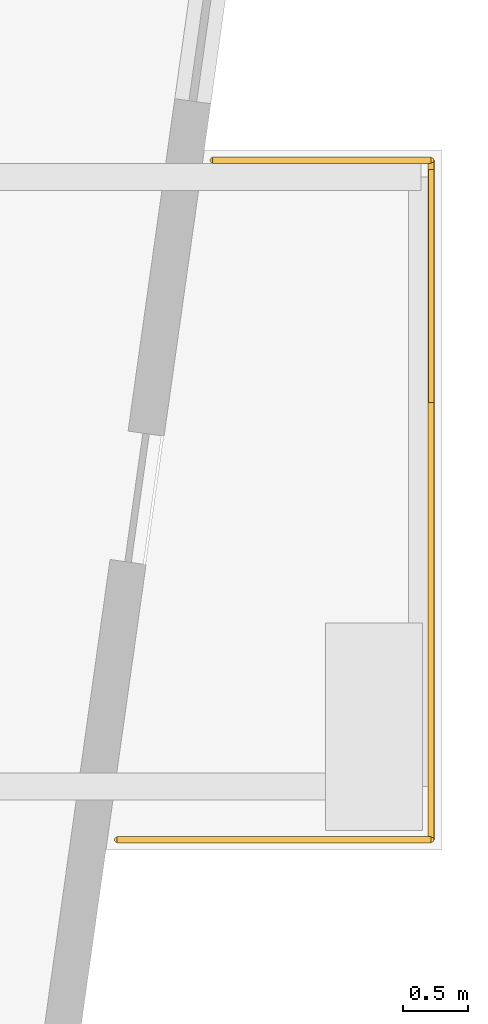
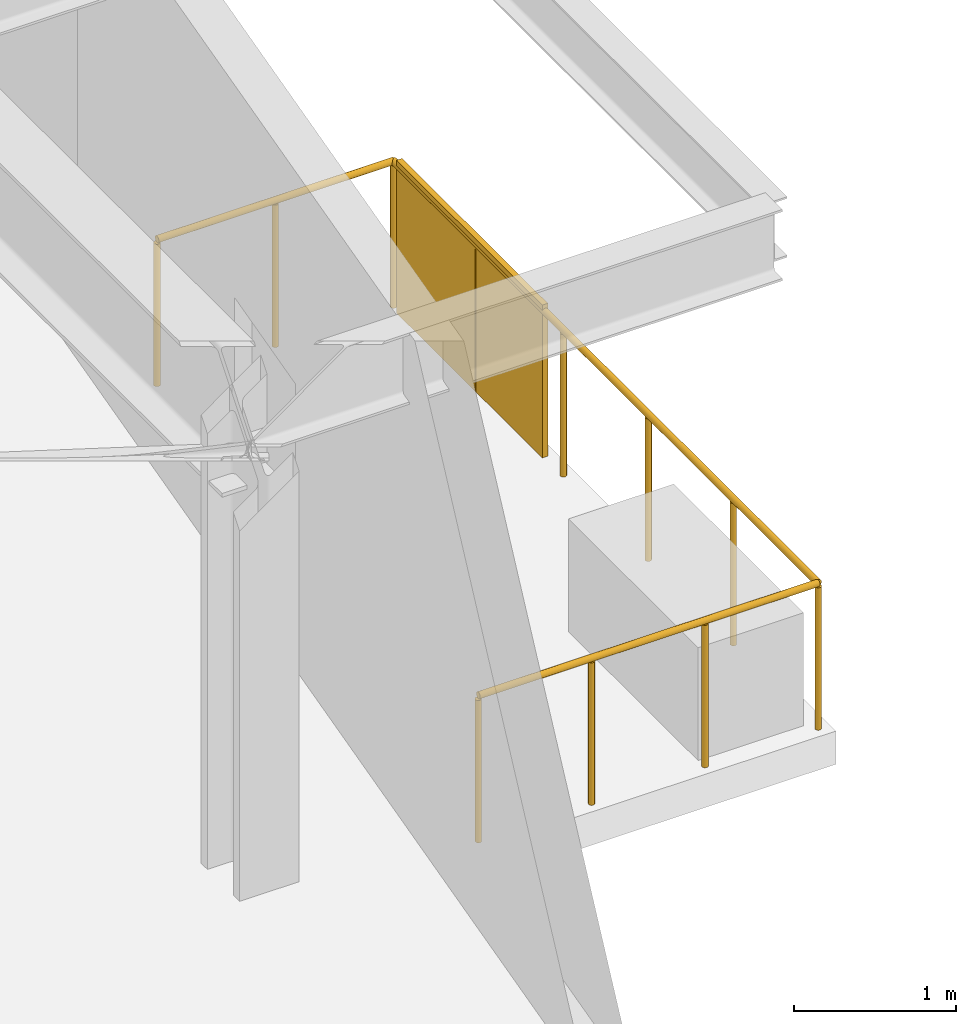
# One storey, part 24 of 26: 3 railings, 1 shading device.
"""IFC4 building model written with IfcOpenShell, lengths in metres."""

import ifcopenshell
import ifcopenshell.guid

model = None  # the IFC model being written
_history = None  # IfcOwnerHistory: only IFC2X3 demands one
_inside = {}  # id of a spatial element -> (the spatial element, [elements in it])
_under = {}  # id of a project, library or spatial element -> (it, [spatial elements below it])
_declared = {}  # id of a project -> (the project, [libraries it declares])
_typed = {}  # id of a type object -> (the type object, [elements of that type])
_made_of = {}  # id of a material, layer set ... -> (it, [elements and type objects made of it])


def new_model(schema):
    """Start an empty IFC model of exactly this schema.

    Asked for "IFC4X3", IfcOpenShell would pick the latest addendum, in which some entities
    have other attributes; the version numbers below select the first issue.
    IFC2X3 requires an IfcOwnerHistory on every rooted entity: one is made here for all.
    """
    global model, _history
    if schema == "IFC4X3":
        model = ifcopenshell.file(schema_version=(4, 3, 0, 0))
    else:
        model = ifcopenshell.file(schema=schema)
    _inside.clear()
    _under.clear()
    _declared.clear()
    _typed.clear()
    _made_of.clear()
    _history = None
    if model.schema == "IFC2X3":
        org = make("IfcOrganization", Name="unknown")
        user = make(
            "IfcPersonAndOrganization",
            ThePerson=make("IfcPerson", FamilyName="unknown"),
            TheOrganization=org,
        )
        app = make(
            "IfcApplication",
            ApplicationDeveloper=org,
            Version="unknown",
            ApplicationFullName="unknown",
            ApplicationIdentifier="unknown",
        )
        _history = make(
            "IfcOwnerHistory",
            OwningUser=user,
            OwningApplication=app,
            ChangeAction="ADDED",
            CreationDate=0,
        )
    return model


def make(cls, **values):
    """One entity of the class cls with the attributes given. An attribute that is None is left unset."""
    return model.create_entity(
        cls, **{name: value for name, value in values.items() if value is not None}
    )


def rooted(cls, **values):
    """An entity with a GlobalId (a new one), such as an element, a storey or a relation."""
    return make(cls, GlobalId=ifcopenshell.guid.new(), OwnerHistory=_history, **values)


def si_unit(unit_type, name, prefix=None):
    """IfcSIUnit, for example si_unit("LENGTHUNIT", "METRE", prefix="MILLI")."""
    return make("IfcSIUnit", UnitType=unit_type, Prefix=prefix, Name=name)


def assignment(units):
    """IfcUnitAssignment: the units of a project."""
    return None if units is None else make("IfcUnitAssignment", Units=units)


def point(xyz):
    """IfcCartesianPoint."""
    return None if xyz is None else make("IfcCartesianPoint", Coordinates=xyz)


def direction(xyz):
    """IfcDirection."""
    return None if xyz is None else make("IfcDirection", DirectionRatios=xyz)


def frame(location, z_axis=None, x_axis=None):
    """IfcAxis2Placement3D, a coordinate frame: its origin and axes. An axis left out is left unset."""
    return make(
        "IfcAxis2Placement3D",
        Location=point(location),
        Axis=direction(z_axis),
        RefDirection=direction(x_axis),
    )


def frame_2d(location, x_axis=None):
    """IfcAxis2Placement2D, a coordinate frame in the plane: its origin and x axis."""
    return make(
        "IfcAxis2Placement2D", Location=point(location), RefDirection=direction(x_axis)
    )


def origin():
    """The frame at (0, 0, 0) with its axes left unset."""
    return frame((0.0, 0.0, 0.0))


def origin_2d():
    """The frame at (0, 0) in the plane with its x axis left unset."""
    return frame_2d((0.0, 0.0))


def place(relative_to, where):
    """IfcLocalPlacement: puts the frame where relative to a parent placement (None: the world)."""
    return make(
        "IfcLocalPlacement", PlacementRelTo=relative_to, RelativePlacement=where
    )


def context(
    kind, dimensions, precision=None, world=None, true_north=None, identifier=None
):
    """IfcGeometricRepresentationContext, for example the 3D "Model" context."""
    return make(
        "IfcGeometricRepresentationContext",
        ContextIdentifier=identifier,
        ContextType=kind,
        CoordinateSpaceDimension=dimensions,
        Precision=precision,
        WorldCoordinateSystem=world,
        TrueNorth=true_north,
    )


def subcontext(parent, identifier, kind, view, scale=None):
    """IfcGeometricRepresentationSubContext, for example "Body" below "Model"."""
    return make(
        "IfcGeometricRepresentationSubContext",
        ContextIdentifier=identifier,
        ContextType=kind,
        ParentContext=parent,
        TargetScale=scale,
        TargetView=view,
    )


def project(units=None, contexts=None):
    """IfcProject with its units and contexts."""
    return rooted(
        "IfcProject",
        Name="project",
        RepresentationContexts=contexts,
        UnitsInContext=assignment(units),
    )


def spatial(cls, under=None, at=None, **own):
    """A site, building, storey or space (cls), placed at a placement, below another one or the project."""
    s = rooted(cls, ObjectPlacement=at, **own)
    if under is not None:
        _under.setdefault(under.id(), (under, []))[1].append(s)
    return s


def profile(cls, at=None, kind="AREA", **sizes):
    """A parametric profile (cls). Its sizes go by their IFC names, for example OverallWidth=200.0."""
    return make(cls, ProfileType=kind, Position=at, **sizes)


def rectangle(**sizes):
    """IfcRectangleProfileDef."""
    return profile("IfcRectangleProfileDef", **sizes)


def circle(**sizes):
    """IfcCircleProfileDef."""
    return profile("IfcCircleProfileDef", **sizes)


def extrude(swept, where, along, depth):
    """IfcExtrudedAreaSolid: the profile swept, set in the frame where, extruded along a direction by depth."""
    return make(
        "IfcExtrudedAreaSolid",
        SweptArea=swept,
        Position=where,
        ExtrudedDirection=direction(along),
        Depth=depth,
    )


def shape(context_of_items, identifier, shape_type, items):
    """IfcShapeRepresentation: the items that make up one representation, for example the "Body"."""
    return make(
        "IfcShapeRepresentation",
        ContextOfItems=context_of_items,
        RepresentationIdentifier=identifier,
        RepresentationType=shape_type,
        Items=items,
    )


def material(Name=None, Category=None):
    """IfcMaterial."""
    return make("IfcMaterial", Name=Name, Category=Category)


def layer(
    of_material, thickness, ventilated=None, Name=None, Category=None, Priority=None
):
    """IfcMaterialLayer: one layer of a wall or slab, of a material (None: an air gap)."""
    return make(
        "IfcMaterialLayer",
        Material=of_material,
        LayerThickness=thickness,
        IsVentilated=ventilated,
        Name=Name,
        Category=Category,
        Priority=Priority,
    )


def layer_set(layers, Name=None):
    """IfcMaterialLayerSet."""
    return make("IfcMaterialLayerSet", MaterialLayers=layers, LayerSetName=Name)


def made_of(thing, what):
    """Note that an element or type object is made of a material, layer set ...; save() writes the relation."""
    if what is not None:
        _made_of.setdefault(what.id(), (what, []))[1].append(thing)
    return thing


def type_object(cls, material=None, **own):
    """A type object (cls), such as IfcWallType, which elements share."""
    return made_of(rooted(cls, **own), material)


def element(
    cls,
    number,
    at=None,
    inside=None,
    cuts=None,
    type_object=None,
    material=None,
    context=None,
    identifier="Body",
    shape_type=None,
    held_by="IfcProductDefinitionShape",
    body=None,
    shapes=None,
    **own,
):
    """One element of the class cls, such as IfcWall. Its Tag is "e" and its number.

    at: its placement. inside: the storey or other place that contains it. cuts: it is an
    opening in that element (IfcRelVoidsElement). A single representation is given by context,
    identifier, shape_type and body (its items); several are given by shapes. held_by: the class
    of the entity that holds the representations. save() writes the other relations.
    """
    e = rooted(cls, Tag="e%d" % number, ObjectPlacement=at, **own)
    if body is not None:
        shapes = [shape(context, identifier, shape_type, body)]
    if shapes is not None:
        e.Representation = make(held_by, Representations=shapes)
    if inside is not None:
        _inside.setdefault(inside.id(), (inside, []))[1].append(e)
    if cuts is not None:
        rooted(
            "IfcRelVoidsElement", RelatingBuildingElement=cuts, RelatedOpeningElement=e
        )
    if type_object is not None:
        _typed.setdefault(type_object.id(), (type_object, []))[1].append(e)
    return made_of(e, material)


def aggregate(whole, parts):
    """IfcRelAggregates: a whole, such as a stair, and the parts it consists of."""
    return rooted("IfcRelAggregates", RelatingObject=whole, RelatedObjects=parts)


def save(model, path):
    """Write the relations noted so far, then the file.

    IfcRelAggregates (storeys below a building ...), IfcRelContainedInSpatialStructure (elements
    in a storey), IfcRelDefinesByType, IfcRelAssociatesMaterial and IfcRelDeclares: one each for
    every whole, place, type object, material and project.
    """
    for whole, parts in _under.values():
        aggregate(whole, parts)
    for where, things in _inside.values():
        rooted(
            "IfcRelContainedInSpatialStructure",
            RelatedElements=things,
            RelatingStructure=where,
        )
    for kind, things in _typed.values():
        rooted("IfcRelDefinesByType", RelatedObjects=things, RelatingType=kind)
    for what, things in _made_of.values():
        rooted("IfcRelAssociatesMaterial", RelatedObjects=things, RelatingMaterial=what)
    for by, libraries in _declared.values():
        rooted("IfcRelDeclares", RelatingContext=by, RelatedDefinitions=libraries)
    model.write(path)


model = new_model("IFC4")

# Units and contexts
model_context = context("Model", 3, precision=1e-05, world=origin(), true_north=direction((0.0, 1.0)))
body_context = subcontext(model_context, "Body", "Model", "MODEL_VIEW")
ifc_project = project(units=[si_unit("LENGTHUNIT", "METRE"), si_unit("AREAUNIT", "SQUARE_METRE"), si_unit("VOLUMEUNIT", "CUBIC_METRE"), si_unit("PLANEANGLEUNIT", "RADIAN"), si_unit("MASSUNIT", "GRAM", prefix="KILO")], contexts=[model_context])

# Site, building, storey
site_placement = place(None, origin())
site = spatial("IfcSite", under=ifc_project, at=site_placement, CompositionType="ELEMENT")
building_placement = place(site_placement, origin())
building = spatial("IfcBuilding", under=site, at=building_placement, Name="Kravanh Interchange Tower", CompositionType="ELEMENT")
storey_placement = place(building_placement, frame((0.0, 0.0, 112.0)))
storey = spatial("IfcBuildingStorey", under=building, at=storey_placement, Name="L26", CompositionType="ELEMENT", Elevation=112.0)

# Shading device
ifc_material_1 = material(Name="Perforated Anodised Bronze Aluminium", Category="aluminium")
ifc_layer_1 = layer(ifc_material_1, 0.0400390625)
ifc_layer_set_1 = layer_set([ifc_layer_1], Name="Perforated Bronze Balcony Privacy Screen 1150mm")
shading_device_type = type_object("IfcShadingDeviceType", Name="Perforated Bronze Balcony Privacy Screen 1150mm", PredefinedType="USERDEFINED", material=ifc_layer_set_1)
shading_device_placement = place(storey_placement, frame((69.409912109375, 30.659912109375, 0.0), z_axis=(0.0, 0.0, 1.0), x_axis=(1.0, 0.0, 0.0)))
element("IfcShadingDevice", 1, at=shading_device_placement, inside=storey, type_object=shading_device_type, Name="L26 E Perforated Bronze BALCONY SCREEN", ObjectType="SCREEN", PredefinedType="USERDEFINED", context=body_context, shape_type="SweptSolid", body=[
    extrude(rectangle(XDim=0.0400390625, YDim=1.800048828125, at=origin_2d()), origin(), (0.0, 0.0, 1.0), 1.14990234375),
])

# Railings
ifc_material_2 = material(Name="Stainless Steel 316", Category="steel")
ifc_layer_2 = layer(ifc_material_2, 0.06005859375)
ifc_layer_set_2 = layer_set([ifc_layer_2], Name="Perimeter Balcony and Terrace Guardrail Stainless 316 1120mm")
railing_type = type_object("IfcRailingType", Name="Perimeter Balcony and Terrace Guardrail Stainless 316 1120mm", PredefinedType="GUARDRAIL", material=ifc_layer_set_2)
railing_1_placement = place(storey_placement, frame((69.409912109375, 31.6298828125, 0.0)))
element("IfcRailing", 2, at=railing_1_placement, inside=storey, type_object=railing_type, Name="L26 E Balcony Guardrail 1", PredefinedType="GUARDRAIL", context=body_context, shape_type="SweptSolid", body=[
    extrude(circle(Radius=0.02392578125, at=origin_2d()), frame((0.0, 0.0, 1.09619140625), z_axis=(0.0, -1.0, 0.0), x_axis=(1.0, 0.0, 0.0)), (0.0, 0.0, 1.0), 5.239990234375),
    extrude(circle(Radius=0.02099609375, at=origin_2d()), origin(), (0.0, 0.0, 1.0), 1.072021484375),
    extrude(circle(Radius=0.02099609375, at=origin_2d()), frame((0.0, -1.048095703125, 0.0)), (0.0, 0.0, 1.0), 1.072021484375),
    extrude(circle(Radius=0.02099609375, at=origin_2d()), frame((0.0, -2.095947265625, 0.0)), (0.0, 0.0, 1.0), 1.072021484375),
    extrude(circle(Radius=0.02099609375, at=origin_2d()), frame((0.0, -3.14404296875, 0.0)), (0.0, 0.0, 1.0), 1.072021484375),
    extrude(circle(Radius=0.02099609375, at=origin_2d()), frame((0.0, -4.19189453125, 0.0)), (0.0, 0.0, 1.0), 1.072021484375),
    extrude(circle(Radius=0.02099609375, at=origin_2d()), frame((0.0, -5.239990234375, 0.0)), (0.0, 0.0, 1.0), 1.072021484375),
])
railing_2_placement = place(storey_placement, frame((69.409912109375, 26.389892578125, 0.0)))
element("IfcRailing", 3, at=railing_2_placement, inside=storey, type_object=railing_type, Name="L26 E Balcony Guardrail 2", PredefinedType="GUARDRAIL", context=body_context, shape_type="SweptSolid", body=[
    extrude(circle(Radius=0.02392578125, at=origin_2d()), frame((0.0, 0.0, 1.09619140625), z_axis=(-1.0, 0.0, 0.0), x_axis=(0.0, -1.0, 0.0)), (0.0, 0.0, 1.0), 2.42138671875),
    extrude(circle(Radius=0.02099609375, at=origin_2d()), origin(), (0.0, 0.0, 1.0), 1.072021484375),
    extrude(circle(Radius=0.02099609375, at=origin_2d()), frame((-0.80712890625, 0.0, 0.0)), (0.0, 0.0, 1.0), 1.072021484375),
    extrude(circle(Radius=0.02099609375, at=origin_2d()), frame((-1.6142578125, 0.0, 0.0)), (0.0, 0.0, 1.0), 1.072021484375),
    extrude(circle(Radius=0.02099609375, at=origin_2d()), frame((-2.42138671875, 0.0, 0.0)), (0.0, 0.0, 1.0), 1.072021484375),
])
railing_3_placement = place(storey_placement, frame((67.72509765625, 31.6298828125, 0.0)))
element("IfcRailing", 4, at=railing_3_placement, inside=storey, type_object=railing_type, Name="L26 E Balcony Guardrail 3", PredefinedType="GUARDRAIL", context=body_context, shape_type="SweptSolid", body=[
    extrude(circle(Radius=0.02392578125, at=origin_2d()), frame((0.0, 0.0, 1.09619140625), z_axis=(1.0, 0.0, 0.0), x_axis=(0.0, 1.0, 0.0)), (0.0, 0.0, 1.0), 1.684814453125),
    extrude(circle(Radius=0.02099609375, at=origin_2d()), origin(), (0.0, 0.0, 1.0), 1.072021484375),
    extrude(circle(Radius=0.02099609375, at=origin_2d()), frame((0.84228515625, 0.0, 0.0)), (0.0, 0.0, 1.0), 1.072021484375),
    extrude(circle(Radius=0.02099609375, at=origin_2d()), frame((1.684814453125, 0.0, 0.0)), (0.0, 0.0, 1.0), 1.072021484375),
])

save(model, "model.ifc")
